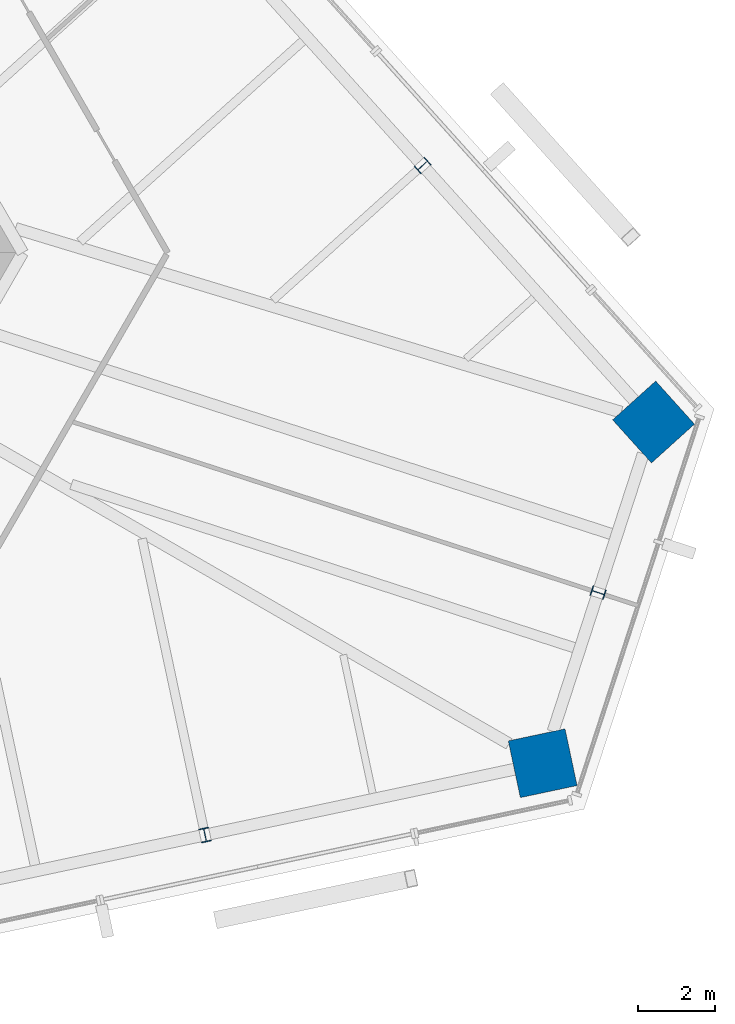
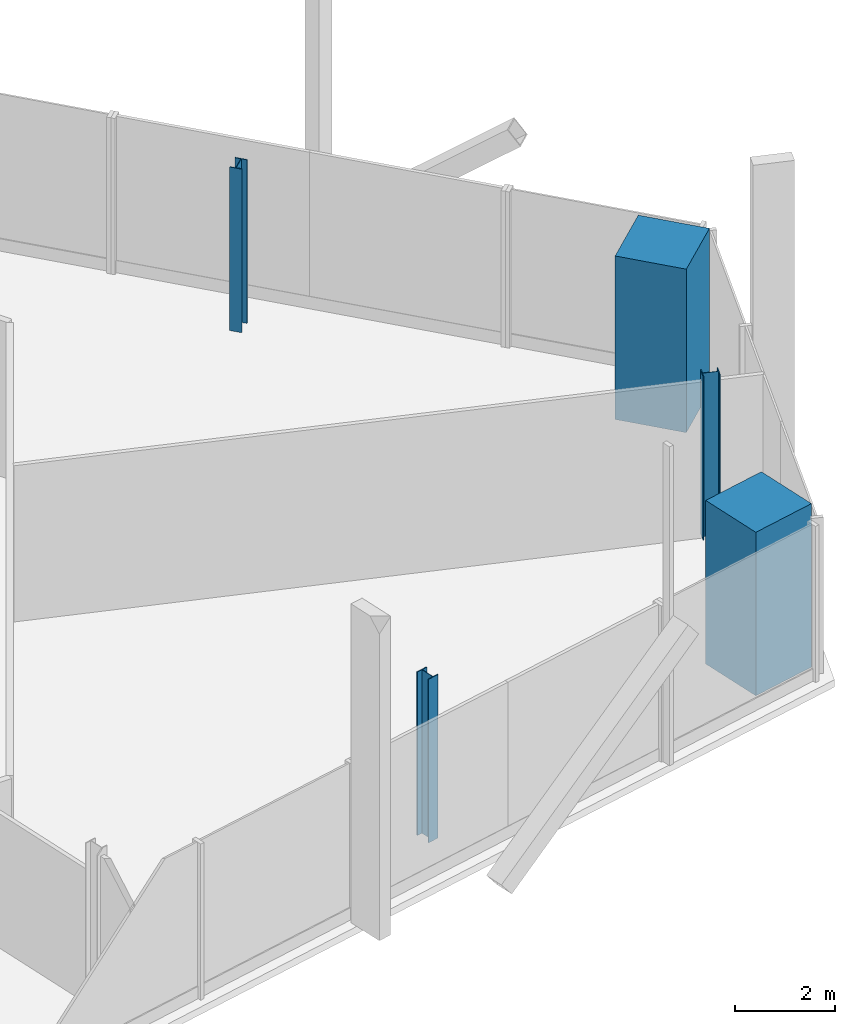
# One storey, part 2 of 17: 5 columns.
"""IFC4 building model written with IfcOpenShell, lengths in metres."""

from ifc_helpers import new_model, si_unit, direction, frame, origin, origin_2d, place, context, subcontext, project, spatial, rectangle, i_section, extrude, source, transform, mapped, material, material_profile, profile_set, type_object, element, save


model = new_model("IFC4")

# Units and contexts
model_context = context("Model", 3, precision=1e-05, world=origin(), true_north=direction((0.0, 1.0)))
body_context = subcontext(model_context, "Body", "Model", "MODEL_VIEW")
ifc_project = project(units=[si_unit("LENGTHUNIT", "METRE"), si_unit("AREAUNIT", "SQUARE_METRE"), si_unit("VOLUMEUNIT", "CUBIC_METRE"), si_unit("PLANEANGLEUNIT", "RADIAN"), si_unit("MASSUNIT", "GRAM", prefix="KILO")], contexts=[model_context])

# Site, building, storey
site_placement = place(None, origin())
site = spatial("IfcSite", under=ifc_project, at=site_placement, CompositionType="ELEMENT")
building_placement = place(site_placement, origin())
building = spatial("IfcBuilding", under=site, at=building_placement, Name="Triune Harvest Tower", CompositionType="ELEMENT")
storey_placement = place(building_placement, frame((0.0, 0.0, 288.699951171875)))
storey = spatial("IfcBuildingStorey", under=building, at=storey_placement, Name="L76", CompositionType="ELEMENT", Elevation=288.699951171875)

# Columns
ifc_material_1 = material(Name="Concrete 70 MPa", Category="concrete")
ifc_material_profile_1 = material_profile(ifc_material_1, rectangle(XDim=1.5, YDim=1.5, at=origin_2d()), Name="Composite 1500x1500")
ifc_profile_set_1 = profile_set([ifc_material_profile_1], Name="Concrete 70 MPa")
column_type_1 = type_object("IfcColumnType", Name="MC-7 Mega column Composite 1500x1500", PredefinedType="COLUMN", material=ifc_profile_set_1)
shared_shape_1 = source(origin(), body_context, "Body", "SweptSolid", [
    extrude(rectangle(XDim=1.5, YDim=1.5, at=origin_2d()), origin(), (0.0, 0.0, 1.0), 4.0),
])
for number, where, z_axis, x_axis, name in (
    (1, (28.4931640625, -4.379150390625, 0.0), (0.0, 0.0, 1.0), (-0.669130606359, 0.743144825477, 0.0), "col/L76/M0"),
    (2, (25.62548828125, -13.205078125, 0.0), (0.0, 0.0, 1.0), (0.978147237858, 0.207913398007, 0.0), "col/L76/M19"),
):
    element("IfcColumn", number, at=place(storey_placement, frame(where, z_axis=z_axis, x_axis=x_axis)), inside=storey, type_object=column_type_1, Name=name, PredefinedType="COLUMN", context=body_context, shape_type="MappedRepresentation", body=[
        mapped(shared_shape_1, transform((0.0, 0.0, 0.0), scale=1.0)),
    ])
ifc_material_2 = material(Name="Steel ASTM A992 Gr 50", Category="steel")
ifc_material_profile_2 = material_profile(ifc_material_2, i_section(OverallWidth=0.256591796875, OverallDepth=0.360595703125, WebThickness=0.011474609375, FlangeThickness=0.02001953125, at=origin_2d()), Name="W14x74")
ifc_profile_set_2 = profile_set([ifc_material_profile_2], Name="Steel ASTM A992 Gr 50")
column_type_2 = type_object("IfcColumnType", Name="PC-7 Perimeter column W14x74", PredefinedType="COLUMN", material=ifc_profile_set_2)
shared_shape_2 = source(origin(), body_context, "Body", "SweptSolid", [
    extrude(i_section(OverallWidth=0.256591796875, OverallDepth=0.360595703125, WebThickness=0.011474609375, FlangeThickness=0.02001953125, at=origin_2d()), origin(), (0.0, 0.0, 1.0), 4.0),
])
for number, where, z_axis, x_axis, name in (
    (3, (22.519287109375, 2.255615234375, 0.0), (0.0, 0.0, 1.0), (-0.669130606359, 0.743144825477, 0.0), "col/L76/P1"),
    (4, (16.892578125, -15.061279296875, 0.0), (0.0, 0.0, 1.0), (0.978147237858, 0.207913398007, 0.0), "col/L76/P18"),
    (5, (27.059326171875, -8.7919921875, 0.0), (0.0, 0.0, 1.0), (0.309016994375, 0.951056516295, 0.0), "col/L76/P20"),
):
    element("IfcColumn", number, at=place(storey_placement, frame(where, z_axis=z_axis, x_axis=x_axis)), inside=storey, type_object=column_type_2, Name=name, PredefinedType="COLUMN", context=body_context, shape_type="MappedRepresentation", body=[
        mapped(shared_shape_2, transform((0.0, 0.0, 0.0), scale=1.0)),
    ])

save(model, "model.ifc")
